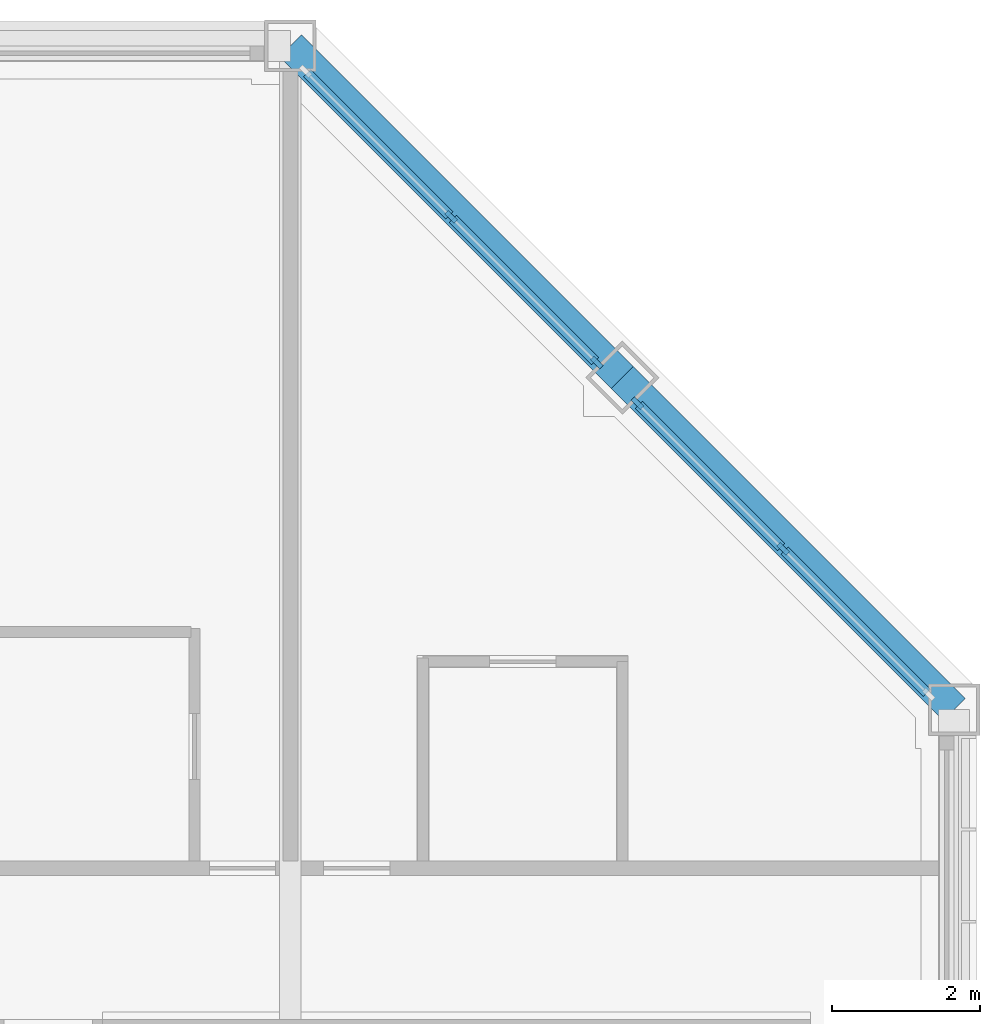
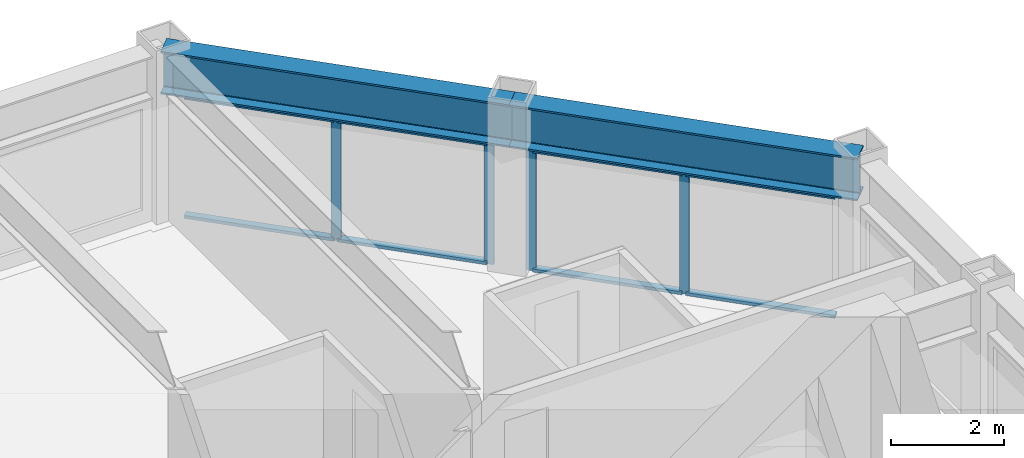
# One storey, part 7 of 16: 12 members, 2 beams, 2 elements without a shape of their own.
"""IFC4 building model written with IfcOpenShell, lengths in metres."""

from ifc_helpers import new_model, si_unit, direction, frame, origin, origin_2d, place, context, subcontext, project, spatial, rectangle, i_section, extrude, material, material_profile, profile_set, type_object, element, aggregate, save


model = new_model("IFC4")

# Units and contexts
model_context = context("Model", 3, precision=1e-05, world=origin(), true_north=direction((0.0, 1.0)))
body_context = subcontext(model_context, "Body", "Model", "MODEL_VIEW")
ifc_project = project(units=[si_unit("LENGTHUNIT", "METRE"), si_unit("AREAUNIT", "SQUARE_METRE"), si_unit("VOLUMEUNIT", "CUBIC_METRE"), si_unit("PLANEANGLEUNIT", "RADIAN"), si_unit("MASSUNIT", "GRAM", prefix="KILO")], contexts=[model_context])

# Site, building, storey
site_placement = place(None, origin())
site = spatial("IfcSite", under=ifc_project, at=site_placement, CompositionType="ELEMENT")
building_placement = place(site_placement, origin())
building = spatial("IfcBuilding", under=site, at=building_placement, Name="Msasa Ring Tower", CompositionType="ELEMENT")
storey_placement = place(building_placement, frame((0.0, 0.0, 215.800048828125)))
storey = spatial("IfcBuildingStorey", under=building, at=storey_placement, Name="L56", CompositionType="ELEMENT", Elevation=215.800048828125)

# Curtain wall, members
ifc_material_1 = material(Name="Aluminium curtain wall with clear glass", Category="aluminium")
curtain_wall_type = type_object("IfcCurtainWallType", Name="CW-C CHAMFER CORNER CURTAIN WALL", PredefinedType="NOTDEFINED", material=ifc_material_1)
curtain_wall_1_placement = place(storey_placement, origin())
curtain_wall_1 = element("IfcCurtainWall", 1, at=curtain_wall_1_placement, inside=storey, type_object=curtain_wall_type, Name="Chamfer corner curtain wall NE L56", PredefinedType="NOTDEFINED")
ifc_material_2 = material(Name="Aluminium mullion", Category="aluminium")
ifc_material_profile_1 = material_profile(ifc_material_2, rectangle(XDim=0.06494140625, YDim=0.179931640625, at=origin_2d()), Name="AL 65x180")
ifc_profile_set_1 = profile_set([ifc_material_profile_1], Name="Aluminium mullion")
member_type_1 = type_object("IfcMemberType", Name="CW-C MULLION 65x180", PredefinedType="MULLION", material=ifc_profile_set_1)
member_1_placement = place(storey_placement, frame((15.4052734375, 15.953369140625, 0.0), z_axis=(0.0, 0.0, 1.0), x_axis=(-0.707106781187, -0.707106781187, 0.0)))
member_1 = element("IfcMember", 2, at=member_1_placement, type_object=member_type_1, Name="CW-C mullion 1", PredefinedType="MULLION", context=body_context, shape_type="SweptSolid", body=[
    extrude(rectangle(XDim=0.06494140625, YDim=0.179931640625, at=origin_2d()), origin(), (0.0, 0.0, 1.0), 2.62890625),
])
member_2_placement = place(storey_placement, frame((13.42919921875, 17.92919921875, 0.0), z_axis=(0.0, 0.0, 1.0), x_axis=(-0.707106781187, -0.707106781187, 0.0)))
member_2 = element("IfcMember", 3, at=member_2_placement, type_object=member_type_1, Name="CW-C mullion 2", PredefinedType="MULLION", context=body_context, shape_type="SweptSolid", body=[
    extrude(rectangle(XDim=0.06494140625, YDim=0.179931640625, at=origin_2d()), origin(), (0.0, 0.0, 1.0), 2.62890625),
])

curtain_wall_2_placement = place(storey_placement, origin())
curtain_wall_2 = element("IfcCurtainWall", 4, at=curtain_wall_2_placement, inside=storey, type_object=curtain_wall_type, Name="Chamfer corner curtain wall NE L56", PredefinedType="NOTDEFINED")
member_3_placement = place(storey_placement, frame((17.92919921875, 13.42919921875, 0.0), z_axis=(0.0, 0.0, 1.0), x_axis=(-0.707106781187, -0.707106781187, 0.0)))
member_3 = element("IfcMember", 5, at=member_3_placement, type_object=member_type_1, Name="CW-C mullion 2", PredefinedType="MULLION", context=body_context, shape_type="SweptSolid", body=[
    extrude(rectangle(XDim=0.06494140625, YDim=0.179931640625, at=origin_2d()), origin(), (0.0, 0.0, 1.0), 2.62890625),
])
member_4_placement = place(storey_placement, frame((15.953369140625, 15.4052734375, 0.0), z_axis=(0.0, 0.0, 1.0), x_axis=(-0.707106781187, -0.707106781187, 0.0)))
member_4 = element("IfcMember", 6, at=member_4_placement, type_object=member_type_1, Name="CW-C mullion 3", PredefinedType="MULLION", context=body_context, shape_type="SweptSolid", body=[
    extrude(rectangle(XDim=0.06494140625, YDim=0.179931640625, at=origin_2d()), origin(), (0.0, 0.0, 1.0), 2.62890625),
])

# Member
ifc_material_3 = material(Name="Aluminium transom", Category="aluminium")
ifc_material_profile_2 = material_profile(ifc_material_3, rectangle(XDim=0.139892578125, YDim=0.06494140625, at=origin_2d()), Name="AL 65x140")
ifc_profile_set_2 = profile_set([ifc_material_profile_2], Name="Aluminium transom")
member_type_2 = type_object("IfcMemberType", Name="CW-C TRANSOM 65x140", PredefinedType="USERDEFINED", material=ifc_profile_set_2)
member_5_placement = place(storey_placement, frame((15.38232421875, 15.976318359375, 0.032470703125), z_axis=(-0.707106781187, 0.707106781187, 0.0), x_axis=(-0.707106781187, -0.707106781187, 0.0)))
member_5 = element("IfcMember", 7, at=member_5_placement, type_object=member_type_2, Name="CW-C transom 1.1", ObjectType="TRANSOM", PredefinedType="USERDEFINED", context=body_context, shape_type="SweptSolid", body=[
    extrude(rectangle(XDim=0.139892578125, YDim=0.06494140625, at=origin_2d()), origin(), (0.0, 0.0, 1.0), 2.729248046875),
])

member_6_placement = place(storey_placement, frame((15.38232421875, 15.976318359375, 2.596435546875), z_axis=(-0.707106781187, 0.707106781187, 0.0), x_axis=(-0.707106781187, -0.707106781187, 0.0)))
member_6 = element("IfcMember", 8, at=member_6_placement, type_object=member_type_2, Name="CW-C transom 1.2", ObjectType="TRANSOM", PredefinedType="USERDEFINED", context=body_context, shape_type="SweptSolid", body=[
    extrude(rectangle(XDim=0.139892578125, YDim=0.06494140625, at=origin_2d()), origin(), (0.0, 0.0, 1.0), 2.729248046875),
])

member_7_placement = place(storey_placement, frame((13.40625, 17.952392578125, 0.032470703125), z_axis=(-0.707106781187, 0.707106781187, 0.0), x_axis=(-0.707106781187, -0.707106781187, 0.0)))
member_7 = element("IfcMember", 9, at=member_7_placement, type_object=member_type_2, Name="CW-C transom 2.1", ObjectType="TRANSOM", PredefinedType="USERDEFINED", context=body_context, shape_type="SweptSolid", body=[
    extrude(rectangle(XDim=0.139892578125, YDim=0.06494140625, at=origin_2d()), origin(), (0.0, 0.0, 1.0), 2.729248046875),
])

member_8_placement = place(storey_placement, frame((13.40625, 17.952392578125, 2.596435546875), z_axis=(-0.707106781187, 0.707106781187, 0.0), x_axis=(-0.707106781187, -0.707106781187, 0.0)))
member_8 = element("IfcMember", 10, at=member_8_placement, type_object=member_type_2, Name="CW-C transom 2.2", ObjectType="TRANSOM", PredefinedType="USERDEFINED", context=body_context, shape_type="SweptSolid", body=[
    extrude(rectangle(XDim=0.139892578125, YDim=0.06494140625, at=origin_2d()), origin(), (0.0, 0.0, 1.0), 2.729248046875),
])

aggregate(curtain_wall_1, [member_1, member_2, member_5, member_6, member_7, member_8])

member_9_placement = place(storey_placement, frame((19.88232421875, 11.476318359375, 0.032470703125), z_axis=(-0.707106781187, 0.707106781187, 0.0), x_axis=(-0.707106781187, -0.707106781187, 0.0)))
member_9 = element("IfcMember", 11, at=member_9_placement, type_object=member_type_2, Name="CW-C transom 1.1", ObjectType="TRANSOM", PredefinedType="USERDEFINED", context=body_context, shape_type="SweptSolid", body=[
    extrude(rectangle(XDim=0.139892578125, YDim=0.06494140625, at=origin_2d()), origin(), (0.0, 0.0, 1.0), 2.729248046875),
])

member_10_placement = place(storey_placement, frame((19.88232421875, 11.476318359375, 2.596435546875), z_axis=(-0.707106781187, 0.707106781187, 0.0), x_axis=(-0.707106781187, -0.707106781187, 0.0)))
member_10 = element("IfcMember", 12, at=member_10_placement, type_object=member_type_2, Name="CW-C transom 1.2", ObjectType="TRANSOM", PredefinedType="USERDEFINED", context=body_context, shape_type="SweptSolid", body=[
    extrude(rectangle(XDim=0.139892578125, YDim=0.06494140625, at=origin_2d()), origin(), (0.0, 0.0, 1.0), 2.729248046875),
])

member_11_placement = place(storey_placement, frame((17.90625, 13.452392578125, 0.032470703125), z_axis=(-0.707106781187, 0.707106781187, 0.0), x_axis=(-0.707106781187, -0.707106781187, 0.0)))
member_11 = element("IfcMember", 13, at=member_11_placement, type_object=member_type_2, Name="CW-C transom 2.1", ObjectType="TRANSOM", PredefinedType="USERDEFINED", context=body_context, shape_type="SweptSolid", body=[
    extrude(rectangle(XDim=0.139892578125, YDim=0.06494140625, at=origin_2d()), origin(), (0.0, 0.0, 1.0), 2.729248046875),
])

member_12_placement = place(storey_placement, frame((17.90625, 13.452392578125, 2.596435546875), z_axis=(-0.707106781187, 0.707106781187, 0.0), x_axis=(-0.707106781187, -0.707106781187, 0.0)))
member_12 = element("IfcMember", 14, at=member_12_placement, type_object=member_type_2, Name="CW-C transom 2.2", ObjectType="TRANSOM", PredefinedType="USERDEFINED", context=body_context, shape_type="SweptSolid", body=[
    extrude(rectangle(XDim=0.139892578125, YDim=0.06494140625, at=origin_2d()), origin(), (0.0, 0.0, 1.0), 2.729248046875),
])

aggregate(curtain_wall_2, [member_3, member_4, member_9, member_10, member_11, member_12])

# Beams
ifc_material_4 = material(Name="Steel S355", Category="steel")
ifc_material_profile_3 = material_profile(ifc_material_4, i_section(OverallWidth=0.42041015625, OverallDepth=0.9208984375, WebThickness=0.021484375, FlangeThickness=0.03662109375, FilletRadius=0.024169921875, at=origin_2d()), Name="UB 914x419x388")
ifc_profile_set_3 = profile_set([ifc_material_profile_3], Name="Steel S355")
beam_type = type_object("IfcBeamType", Name="SB1 UB 914x419x388", PredefinedType="SPANDREL", material=ifc_profile_set_3)
for number, where, z_axis, x_axis, name in (
    (15, (20.25, 11.25, 3.08935546875), (-0.707106781187, 0.707106781187, 0.0), (-0.707106781187, -0.707106781187, 0.0), "Spandrel E+11.25 to NE under L57"),
    (16, (15.75, 15.75, 3.08935546875), (-0.707106781187, 0.707106781187, 0.0), (-0.707106781187, -0.707106781187, 0.0), "Spandrel NE to N+11.25 under L57"),
):
    element("IfcBeam", number, at=place(storey_placement, frame(where, z_axis=z_axis, x_axis=x_axis)), inside=storey, type_object=beam_type, Name=name, PredefinedType="SPANDREL", context=body_context, shape_type="SweptSolid", body=[
        extrude(i_section(OverallWidth=0.42041015625, OverallDepth=0.9208984375, WebThickness=0.021484375, FlangeThickness=0.03662109375, FilletRadius=0.024169921875, at=origin_2d()), origin(), (0.0, 0.0, 1.0), 6.364013671875),
    ])

save(model, "model.ifc")
